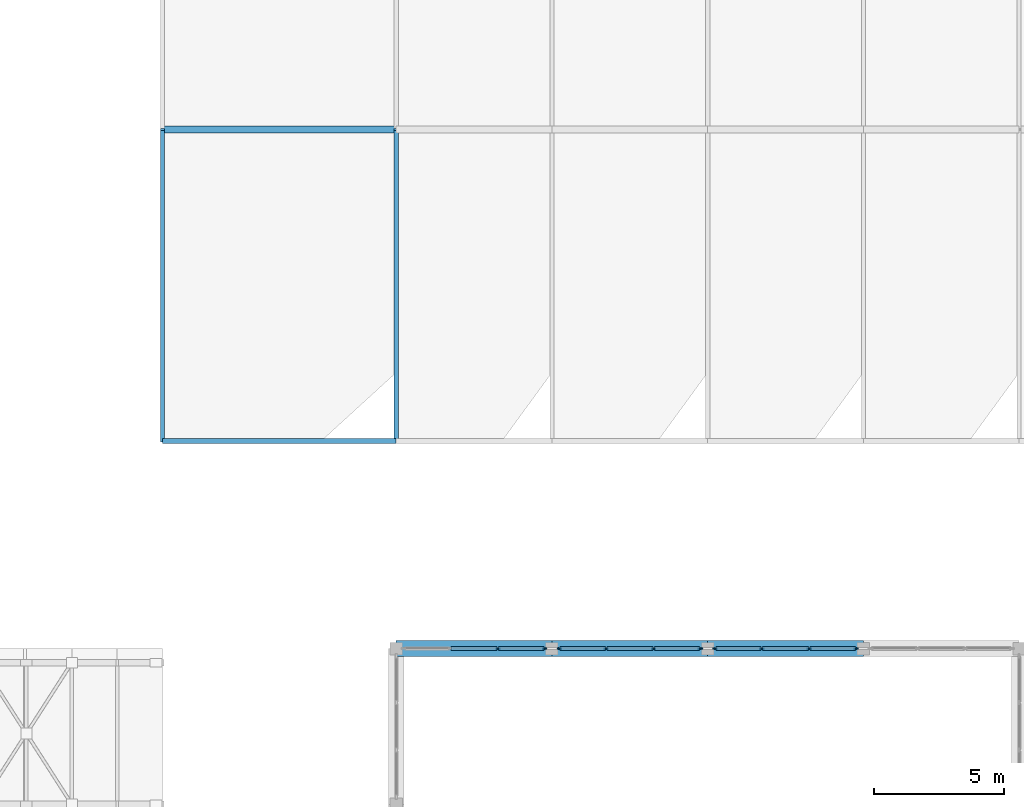
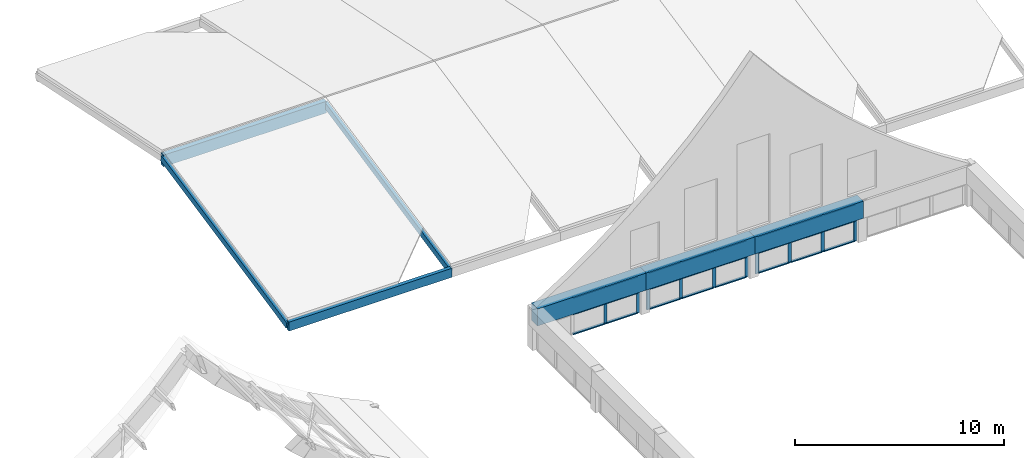
# One storey, part 18 of 45: 34 members, 7 beams, 3 elements without a shape of their own.
"""IFC4 building model written with IfcOpenShell, lengths in metres."""

import ifcopenshell
import ifcopenshell.guid

model = None  # the IFC model being written
_history = None  # IfcOwnerHistory: only IFC2X3 demands one
_inside = {}  # id of a spatial element -> (the spatial element, [elements in it])
_under = {}  # id of a project, library or spatial element -> (it, [spatial elements below it])
_declared = {}  # id of a project -> (the project, [libraries it declares])
_typed = {}  # id of a type object -> (the type object, [elements of that type])
_made_of = {}  # id of a material, layer set ... -> (it, [elements and type objects made of it])


def new_model(schema):
    """Start an empty IFC model of exactly this schema.

    Asked for "IFC4X3", IfcOpenShell would pick the latest addendum, in which some entities
    have other attributes; the version numbers below select the first issue.
    IFC2X3 requires an IfcOwnerHistory on every rooted entity: one is made here for all.
    """
    global model, _history
    if schema == "IFC4X3":
        model = ifcopenshell.file(schema_version=(4, 3, 0, 0))
    else:
        model = ifcopenshell.file(schema=schema)
    _inside.clear()
    _under.clear()
    _declared.clear()
    _typed.clear()
    _made_of.clear()
    _history = None
    if model.schema == "IFC2X3":
        org = make("IfcOrganization", Name="unknown")
        user = make(
            "IfcPersonAndOrganization",
            ThePerson=make("IfcPerson", FamilyName="unknown"),
            TheOrganization=org,
        )
        app = make(
            "IfcApplication",
            ApplicationDeveloper=org,
            Version="unknown",
            ApplicationFullName="unknown",
            ApplicationIdentifier="unknown",
        )
        _history = make(
            "IfcOwnerHistory",
            OwningUser=user,
            OwningApplication=app,
            ChangeAction="ADDED",
            CreationDate=0,
        )
    return model


def make(cls, **values):
    """One entity of the class cls with the attributes given. An attribute that is None is left unset."""
    return model.create_entity(
        cls, **{name: value for name, value in values.items() if value is not None}
    )


def rooted(cls, **values):
    """An entity with a GlobalId (a new one), such as an element, a storey or a relation."""
    return make(cls, GlobalId=ifcopenshell.guid.new(), OwnerHistory=_history, **values)


def si_unit(unit_type, name, prefix=None):
    """IfcSIUnit, for example si_unit("LENGTHUNIT", "METRE", prefix="MILLI")."""
    return make("IfcSIUnit", UnitType=unit_type, Prefix=prefix, Name=name)


def assignment(units):
    """IfcUnitAssignment: the units of a project."""
    return None if units is None else make("IfcUnitAssignment", Units=units)


def point(xyz):
    """IfcCartesianPoint."""
    return None if xyz is None else make("IfcCartesianPoint", Coordinates=xyz)


def direction(xyz):
    """IfcDirection."""
    return None if xyz is None else make("IfcDirection", DirectionRatios=xyz)


def frame(location, z_axis=None, x_axis=None):
    """IfcAxis2Placement3D, a coordinate frame: its origin and axes. An axis left out is left unset."""
    return make(
        "IfcAxis2Placement3D",
        Location=point(location),
        Axis=direction(z_axis),
        RefDirection=direction(x_axis),
    )


def frame_2d(location, x_axis=None):
    """IfcAxis2Placement2D, a coordinate frame in the plane: its origin and x axis."""
    return make(
        "IfcAxis2Placement2D", Location=point(location), RefDirection=direction(x_axis)
    )


def origin():
    """The frame at (0, 0, 0) with its axes left unset."""
    return frame((0.0, 0.0, 0.0))


def origin_2d():
    """The frame at (0, 0) in the plane with its x axis left unset."""
    return frame_2d((0.0, 0.0))


def place(relative_to, where):
    """IfcLocalPlacement: puts the frame where relative to a parent placement (None: the world)."""
    return make(
        "IfcLocalPlacement", PlacementRelTo=relative_to, RelativePlacement=where
    )


def context(
    kind, dimensions, precision=None, world=None, true_north=None, identifier=None
):
    """IfcGeometricRepresentationContext, for example the 3D "Model" context."""
    return make(
        "IfcGeometricRepresentationContext",
        ContextIdentifier=identifier,
        ContextType=kind,
        CoordinateSpaceDimension=dimensions,
        Precision=precision,
        WorldCoordinateSystem=world,
        TrueNorth=true_north,
    )


def subcontext(parent, identifier, kind, view, scale=None):
    """IfcGeometricRepresentationSubContext, for example "Body" below "Model"."""
    return make(
        "IfcGeometricRepresentationSubContext",
        ContextIdentifier=identifier,
        ContextType=kind,
        ParentContext=parent,
        TargetScale=scale,
        TargetView=view,
    )


def project(units=None, contexts=None):
    """IfcProject with its units and contexts."""
    return rooted(
        "IfcProject",
        Name="project",
        RepresentationContexts=contexts,
        UnitsInContext=assignment(units),
    )


def spatial(cls, under=None, at=None, **own):
    """A site, building, storey or space (cls), placed at a placement, below another one or the project."""
    s = rooted(cls, ObjectPlacement=at, **own)
    if under is not None:
        _under.setdefault(under.id(), (under, []))[1].append(s)
    return s


def profile(cls, at=None, kind="AREA", **sizes):
    """A parametric profile (cls). Its sizes go by their IFC names, for example OverallWidth=200.0."""
    return make(cls, ProfileType=kind, Position=at, **sizes)


def rectangle(**sizes):
    """IfcRectangleProfileDef."""
    return profile("IfcRectangleProfileDef", **sizes)


def extrude(swept, where, along, depth):
    """IfcExtrudedAreaSolid: the profile swept, set in the frame where, extruded along a direction by depth."""
    return make(
        "IfcExtrudedAreaSolid",
        SweptArea=swept,
        Position=where,
        ExtrudedDirection=direction(along),
        Depth=depth,
    )


def shape(context_of_items, identifier, shape_type, items):
    """IfcShapeRepresentation: the items that make up one representation, for example the "Body"."""
    return make(
        "IfcShapeRepresentation",
        ContextOfItems=context_of_items,
        RepresentationIdentifier=identifier,
        RepresentationType=shape_type,
        Items=items,
    )


def material(Name=None, Category=None):
    """IfcMaterial."""
    return make("IfcMaterial", Name=Name, Category=Category)


def layer(
    of_material, thickness, ventilated=None, Name=None, Category=None, Priority=None
):
    """IfcMaterialLayer: one layer of a wall or slab, of a material (None: an air gap)."""
    return make(
        "IfcMaterialLayer",
        Material=of_material,
        LayerThickness=thickness,
        IsVentilated=ventilated,
        Name=Name,
        Category=Category,
        Priority=Priority,
    )


def layer_set(layers, Name=None):
    """IfcMaterialLayerSet."""
    return make("IfcMaterialLayerSet", MaterialLayers=layers, LayerSetName=Name)


def material_profile(
    of_material, cross_section, Name=None, Category=None, Priority=None
):
    """IfcMaterialProfile: a cross section and its material."""
    return make(
        "IfcMaterialProfile",
        Name=Name,
        Material=of_material,
        Profile=cross_section,
        Priority=Priority,
        Category=Category,
    )


def profile_set(profiles, Name=None, composite=None):
    """IfcMaterialProfileSet."""
    return make(
        "IfcMaterialProfileSet",
        Name=Name,
        MaterialProfiles=profiles,
        CompositeProfile=composite,
    )


def made_of(thing, what):
    """Note that an element or type object is made of a material, layer set ...; save() writes the relation."""
    if what is not None:
        _made_of.setdefault(what.id(), (what, []))[1].append(thing)
    return thing


def type_object(cls, material=None, **own):
    """A type object (cls), such as IfcWallType, which elements share."""
    return made_of(rooted(cls, **own), material)


def element(
    cls,
    number,
    at=None,
    inside=None,
    cuts=None,
    type_object=None,
    material=None,
    context=None,
    identifier="Body",
    shape_type=None,
    held_by="IfcProductDefinitionShape",
    body=None,
    shapes=None,
    **own,
):
    """One element of the class cls, such as IfcWall. Its Tag is "e" and its number.

    at: its placement. inside: the storey or other place that contains it. cuts: it is an
    opening in that element (IfcRelVoidsElement). A single representation is given by context,
    identifier, shape_type and body (its items); several are given by shapes. held_by: the class
    of the entity that holds the representations. save() writes the other relations.
    """
    e = rooted(cls, Tag="e%d" % number, ObjectPlacement=at, **own)
    if body is not None:
        shapes = [shape(context, identifier, shape_type, body)]
    if shapes is not None:
        e.Representation = make(held_by, Representations=shapes)
    if inside is not None:
        _inside.setdefault(inside.id(), (inside, []))[1].append(e)
    if cuts is not None:
        rooted(
            "IfcRelVoidsElement", RelatingBuildingElement=cuts, RelatedOpeningElement=e
        )
    if type_object is not None:
        _typed.setdefault(type_object.id(), (type_object, []))[1].append(e)
    return made_of(e, material)


def aggregate(whole, parts):
    """IfcRelAggregates: a whole, such as a stair, and the parts it consists of."""
    return rooted("IfcRelAggregates", RelatingObject=whole, RelatedObjects=parts)


def save(model, path):
    """Write the relations noted so far, then the file.

    IfcRelAggregates (storeys below a building ...), IfcRelContainedInSpatialStructure (elements
    in a storey), IfcRelDefinesByType, IfcRelAssociatesMaterial and IfcRelDeclares: one each for
    every whole, place, type object, material and project.
    """
    for whole, parts in _under.values():
        aggregate(whole, parts)
    for where, things in _inside.values():
        rooted(
            "IfcRelContainedInSpatialStructure",
            RelatedElements=things,
            RelatingStructure=where,
        )
    for kind, things in _typed.values():
        rooted("IfcRelDefinesByType", RelatedObjects=things, RelatingType=kind)
    for what, things in _made_of.values():
        rooted("IfcRelAssociatesMaterial", RelatedObjects=things, RelatingMaterial=what)
    for by, libraries in _declared.values():
        rooted("IfcRelDeclares", RelatingContext=by, RelatedDefinitions=libraries)
    model.write(path)


model = new_model("IFC4")

# Units and contexts
model_context = context("Model", 3, precision=1e-05, world=origin(), true_north=direction((0.0, 1.0)))
body_context = subcontext(model_context, "Body", "Model", "MODEL_VIEW")
ifc_project = project(units=[si_unit("LENGTHUNIT", "METRE"), si_unit("AREAUNIT", "SQUARE_METRE"), si_unit("VOLUMEUNIT", "CUBIC_METRE"), si_unit("PLANEANGLEUNIT", "RADIAN"), si_unit("MASSUNIT", "GRAM", prefix="KILO")], contexts=[model_context])

# Site, building, storey
site_placement = place(None, origin())
site = spatial("IfcSite", under=ifc_project, at=site_placement, CompositionType="ELEMENT")
building_placement = place(site_placement, origin())
building = spatial("IfcBuilding", under=site, at=building_placement, Name="Solvane Community Centre", CompositionType="ELEMENT")
storey_placement = place(building_placement, frame((0.0, 0.0, 13.800048828125)))
storey = spatial("IfcBuildingStorey", under=building, at=storey_placement, Name="L03", CompositionType="ELEMENT", Elevation=13.800048828125)

# Beams
ifc_material_1 = material(Name="Glulam GL28h", Category="wood")
ifc_material_profile_1 = material_profile(ifc_material_1, rectangle(XDim=0.260009765625, YDim=0.679931640625, at=origin_2d()), Name="GL28h 260x680")
ifc_profile_set_1 = profile_set([ifc_material_profile_1], Name="Glulam GL28h")
beam_type_1 = type_object("IfcBeamType", Name="Glulam Primary Girder 260x680", PredefinedType="USERDEFINED", material=ifc_profile_set_1)
beam_1_placement = place(storey_placement, frame((27.0, 98.0, 1.9599609375), z_axis=(1.0, 0.0, 0.0), x_axis=(0.0, 1.0, 0.0)))
element("IfcBeam", 1, at=beam_1_placement, inside=storey, type_object=beam_type_1, Name="Beam BM-L03-270_980-360_980", ObjectType="GIRDER", PredefinedType="USERDEFINED", context=body_context, shape_type="SweptSolid", body=[
    extrude(rectangle(XDim=0.260009765625, YDim=0.679931640625, at=origin_2d()), origin(), (0.0, 0.0, 1.0), 9.0),
])
ifc_material_profile_2 = material_profile(ifc_material_1, rectangle(XDim=0.159912109375, YDim=0.360107421875, at=origin_2d()), Name="GL28h 160x360")
ifc_profile_set_2 = profile_set([ifc_material_profile_2], Name="Glulam GL28h")
beam_type_2 = type_object("IfcBeamType", Name="Glulam Roof Rafter 160x360", PredefinedType="BEAM", material=ifc_profile_set_2)
for number, where, z_axis, x_axis, name in (
    (2, (27.0, 86.0, -0.425048828125), (0.0, 0.978980419738, 0.203954254112), (-1.0, 0.0, 0.0), "Beam BM-L03-270_860-270_980"),
    (3, (36.0, 86.0, -0.425048828125), (0.0, 0.978980419738, 0.203954254112), (-1.0, 0.0, 0.0), "Beam BM-L03-360_860-360_980"),
):
    element("IfcBeam", number, at=place(storey_placement, frame(where, z_axis=z_axis, x_axis=x_axis)), inside=storey, type_object=beam_type_2, Name=name, PredefinedType="BEAM", context=body_context, shape_type="SweptSolid", body=[
        extrude(rectangle(XDim=0.159912109375, YDim=0.360107421875, at=origin_2d()), origin(), (0.0, 0.0, 1.0), 12.257568359375),
    ])
ifc_material_profile_3 = material_profile(ifc_material_1, rectangle(XDim=0.199951171875, YDim=0.52001953125, at=origin_2d()), Name="GL28h 200x520")
ifc_profile_set_3 = profile_set([ifc_material_profile_3], Name="Glulam GL28h")
beam_type_3 = type_object("IfcBeamType", Name="Glulam Spandrel Beam 200x520", PredefinedType="SPANDREL", material=ifc_profile_set_3)
beam_2_placement = place(storey_placement, frame((27.0, 86.0, -0.4599609375), z_axis=(1.0, 0.0, 0.0), x_axis=(0.0, 1.0, 0.0)))
element("IfcBeam", 4, at=beam_2_placement, inside=storey, type_object=beam_type_3, Name="Beam BM-L03-270_860-360_860", PredefinedType="SPANDREL", context=body_context, shape_type="SweptSolid", body=[
    extrude(rectangle(XDim=0.199951171875, YDim=0.52001953125, at=origin_2d()), origin(), (0.0, 0.0, 1.0), 9.0),
])

# Curtain wall, members
ifc_material_2 = material(Name="Anodised bronze aluminium AW-6063 T6", Category="aluminium")
ifc_layer = layer(ifc_material_2, 0.179931640625)
ifc_layer_set = layer_set([ifc_layer], Name="Anodised bronze aluminium AW-6063 T6")
curtain_wall_type = type_object("IfcCurtainWallType", Name="Hall Translucent Upper Curtain Wall [55x22dm]", PredefinedType="NOTDEFINED", material=ifc_layer_set)
curtain_wall_1_placement = place(storey_placement, origin())
curtain_wall_1 = element("IfcCurtainWall", 5, at=curtain_wall_1_placement, inside=storey, type_object=curtain_wall_type, Name="Curtain Wall CW-L03-363_780-162", PredefinedType="NOTDEFINED")
ifc_material_profile_4 = material_profile(ifc_material_2, rectangle(XDim=0.06005859375, YDim=0.179931640625, at=origin_2d()), Name="CW-M 60x180")
ifc_profile_set_4 = profile_set([ifc_material_profile_4], Name="Anodised bronze aluminium AW-6063 T6")
member_type_1 = type_object("IfcMemberType", Name="Hall Mullion 60x180", PredefinedType="MULLION", material=ifc_profile_set_4)
member_1_placement = place(storey_placement, frame((39.9150390625, 78.0, 0.0), z_axis=(0.0, 0.0, 1.0), x_axis=(0.0, 1.0, 0.0)))
member_1 = element("IfcMember", 6, at=member_1_placement, type_object=member_type_1, Name="CW01-55x22 mullion 3", PredefinedType="MULLION", context=body_context, shape_type="SweptSolid", body=[
    extrude(rectangle(XDim=0.06005859375, YDim=0.179931640625, at=origin_2d()), origin(), (0.0, 0.0, 1.0), 2.179931640625),
])
member_2_placement = place(storey_placement, frame((41.715087890625, 78.0, 0.0), z_axis=(0.0, 0.0, 1.0), x_axis=(0.0, 1.0, 0.0)))
member_2 = element("IfcMember", 7, at=member_2_placement, type_object=member_type_1, Name="CW01-55x22 mullion 4", PredefinedType="MULLION", context=body_context, shape_type="SweptSolid", body=[
    extrude(rectangle(XDim=0.06005859375, YDim=0.179931640625, at=origin_2d()), origin(), (0.0, 0.0, 1.0), 2.179931640625),
])

curtain_wall_2_placement = place(storey_placement, origin())
curtain_wall_2 = element("IfcCurtainWall", 8, at=curtain_wall_2_placement, inside=storey, type_object=curtain_wall_type, Name="Curtain Wall CW-L03-423_780-163", PredefinedType="NOTDEFINED")
member_3_placement = place(storey_placement, frame((42.284912109375, 78.0, 0.0), z_axis=(0.0, 0.0, 1.0), x_axis=(0.0, 1.0, 0.0)))
member_3 = element("IfcMember", 9, at=member_3_placement, type_object=member_type_1, Name="CW01-55x22 mullion 1", PredefinedType="MULLION", context=body_context, shape_type="SweptSolid", body=[
    extrude(rectangle(XDim=0.06005859375, YDim=0.179931640625, at=origin_2d()), origin(), (0.0, 0.0, 1.0), 2.179931640625),
])
member_4_placement = place(storey_placement, frame((44.0849609375, 78.0, 0.0), z_axis=(0.0, 0.0, 1.0), x_axis=(0.0, 1.0, 0.0)))
member_4 = element("IfcMember", 10, at=member_4_placement, type_object=member_type_1, Name="CW01-55x22 mullion 2", PredefinedType="MULLION", context=body_context, shape_type="SweptSolid", body=[
    extrude(rectangle(XDim=0.06005859375, YDim=0.179931640625, at=origin_2d()), origin(), (0.0, 0.0, 1.0), 2.179931640625),
])
member_5_placement = place(storey_placement, frame((45.9150390625, 78.0, 0.0), z_axis=(0.0, 0.0, 1.0), x_axis=(0.0, 1.0, 0.0)))
member_5 = element("IfcMember", 11, at=member_5_placement, type_object=member_type_1, Name="CW01-55x22 mullion 3", PredefinedType="MULLION", context=body_context, shape_type="SweptSolid", body=[
    extrude(rectangle(XDim=0.06005859375, YDim=0.179931640625, at=origin_2d()), origin(), (0.0, 0.0, 1.0), 2.179931640625),
])
member_6_placement = place(storey_placement, frame((47.715087890625, 78.0, 0.0), z_axis=(0.0, 0.0, 1.0), x_axis=(0.0, 1.0, 0.0)))
member_6 = element("IfcMember", 12, at=member_6_placement, type_object=member_type_1, Name="CW01-55x22 mullion 4", PredefinedType="MULLION", context=body_context, shape_type="SweptSolid", body=[
    extrude(rectangle(XDim=0.06005859375, YDim=0.179931640625, at=origin_2d()), origin(), (0.0, 0.0, 1.0), 2.179931640625),
])

curtain_wall_3_placement = place(storey_placement, origin())
curtain_wall_3 = element("IfcCurtainWall", 13, at=curtain_wall_3_placement, inside=storey, type_object=curtain_wall_type, Name="Curtain Wall CW-L03-483_780-164", PredefinedType="NOTDEFINED")
member_7_placement = place(storey_placement, frame((48.284912109375, 78.0, 0.0), z_axis=(0.0, 0.0, 1.0), x_axis=(0.0, 1.0, 0.0)))
member_7 = element("IfcMember", 14, at=member_7_placement, type_object=member_type_1, Name="CW01-55x22 mullion 1", PredefinedType="MULLION", context=body_context, shape_type="SweptSolid", body=[
    extrude(rectangle(XDim=0.06005859375, YDim=0.179931640625, at=origin_2d()), origin(), (0.0, 0.0, 1.0), 2.179931640625),
])
member_8_placement = place(storey_placement, frame((50.0849609375, 78.0, 0.0), z_axis=(0.0, 0.0, 1.0), x_axis=(0.0, 1.0, 0.0)))
member_8 = element("IfcMember", 15, at=member_8_placement, type_object=member_type_1, Name="CW01-55x22 mullion 2", PredefinedType="MULLION", context=body_context, shape_type="SweptSolid", body=[
    extrude(rectangle(XDim=0.06005859375, YDim=0.179931640625, at=origin_2d()), origin(), (0.0, 0.0, 1.0), 2.179931640625),
])
member_9_placement = place(storey_placement, frame((51.9150390625, 78.0, 0.0), z_axis=(0.0, 0.0, 1.0), x_axis=(0.0, 1.0, 0.0)))
member_9 = element("IfcMember", 16, at=member_9_placement, type_object=member_type_1, Name="CW01-55x22 mullion 3", PredefinedType="MULLION", context=body_context, shape_type="SweptSolid", body=[
    extrude(rectangle(XDim=0.06005859375, YDim=0.179931640625, at=origin_2d()), origin(), (0.0, 0.0, 1.0), 2.179931640625),
])
member_10_placement = place(storey_placement, frame((53.715087890625, 78.0, 0.0), z_axis=(0.0, 0.0, 1.0), x_axis=(0.0, 1.0, 0.0)))
member_10 = element("IfcMember", 17, at=member_10_placement, type_object=member_type_1, Name="CW01-55x22 mullion 4", PredefinedType="MULLION", context=body_context, shape_type="SweptSolid", body=[
    extrude(rectangle(XDim=0.06005859375, YDim=0.179931640625, at=origin_2d()), origin(), (0.0, 0.0, 1.0), 2.179931640625),
])

# Member
ifc_material_profile_5 = material_profile(ifc_material_2, rectangle(XDim=0.139892578125, YDim=0.06005859375, at=origin_2d()), Name="CW-T 60x140")
ifc_profile_set_5 = profile_set([ifc_material_profile_5], Name="Anodised bronze aluminium AW-6063 T6")
member_type_2 = type_object("IfcMemberType", Name="Hall Transom 60x140", PredefinedType="USERDEFINED", material=ifc_profile_set_5)
member_11_placement = place(storey_placement, frame((38.114990234375, 78.0, 0.030029296875), z_axis=(1.0, 0.0, 0.0), x_axis=(0.0, 1.0, 0.0)))
member_11 = element("IfcMember", 18, at=member_11_placement, type_object=member_type_2, Name="CW01-55x22 transom 2.1", ObjectType="TRANSOM", PredefinedType="USERDEFINED", context=body_context, shape_type="SweptSolid", body=[
    extrude(rectangle(XDim=0.139892578125, YDim=0.06005859375, at=origin_2d()), origin(), (0.0, 0.0, 1.0), 1.77001953125),
])

member_12_placement = place(storey_placement, frame((38.114990234375, 78.0, 1.198974609375), z_axis=(1.0, 0.0, 0.0), x_axis=(0.0, 1.0, 0.0)))
member_12 = element("IfcMember", 19, at=member_12_placement, type_object=member_type_2, Name="CW01-55x22 transom 2.2", ObjectType="TRANSOM", PredefinedType="USERDEFINED", context=body_context, shape_type="SweptSolid", body=[
    extrude(rectangle(XDim=0.139892578125, YDim=0.06005859375, at=origin_2d()), origin(), (0.0, 0.0, 1.0), 1.77001953125),
])

member_13_placement = place(storey_placement, frame((38.114990234375, 78.0, 2.14990234375), z_axis=(1.0, 0.0, 0.0), x_axis=(0.0, 1.0, 0.0)))
member_13 = element("IfcMember", 20, at=member_13_placement, type_object=member_type_2, Name="CW01-55x22 transom 2.3", ObjectType="TRANSOM", PredefinedType="USERDEFINED", context=body_context, shape_type="SweptSolid", body=[
    extrude(rectangle(XDim=0.139892578125, YDim=0.06005859375, at=origin_2d()), origin(), (0.0, 0.0, 1.0), 1.77001953125),
])

member_14_placement = place(storey_placement, frame((39.945068359375, 78.0, 0.030029296875), z_axis=(1.0, 0.0, 0.0), x_axis=(0.0, 1.0, 0.0)))
member_14 = element("IfcMember", 21, at=member_14_placement, type_object=member_type_2, Name="CW01-55x22 transom 3.1", ObjectType="TRANSOM", PredefinedType="USERDEFINED", context=body_context, shape_type="SweptSolid", body=[
    extrude(rectangle(XDim=0.139892578125, YDim=0.06005859375, at=origin_2d()), origin(), (0.0, 0.0, 1.0), 1.739990234375),
])

member_15_placement = place(storey_placement, frame((39.945068359375, 78.0, 1.198974609375), z_axis=(1.0, 0.0, 0.0), x_axis=(0.0, 1.0, 0.0)))
member_15 = element("IfcMember", 22, at=member_15_placement, type_object=member_type_2, Name="CW01-55x22 transom 3.2", ObjectType="TRANSOM", PredefinedType="USERDEFINED", context=body_context, shape_type="SweptSolid", body=[
    extrude(rectangle(XDim=0.139892578125, YDim=0.06005859375, at=origin_2d()), origin(), (0.0, 0.0, 1.0), 1.739990234375),
])

member_16_placement = place(storey_placement, frame((39.945068359375, 78.0, 2.14990234375), z_axis=(1.0, 0.0, 0.0), x_axis=(0.0, 1.0, 0.0)))
member_16 = element("IfcMember", 23, at=member_16_placement, type_object=member_type_2, Name="CW01-55x22 transom 3.3", ObjectType="TRANSOM", PredefinedType="USERDEFINED", context=body_context, shape_type="SweptSolid", body=[
    extrude(rectangle(XDim=0.139892578125, YDim=0.06005859375, at=origin_2d()), origin(), (0.0, 0.0, 1.0), 1.739990234375),
])

aggregate(curtain_wall_1, [member_1, member_2, member_11, member_12, member_13, member_14, member_15, member_16])

member_17_placement = place(storey_placement, frame((42.31494140625, 78.0, 0.030029296875), z_axis=(1.0, 0.0, 0.0), x_axis=(0.0, 1.0, 0.0)))
member_17 = element("IfcMember", 24, at=member_17_placement, type_object=member_type_2, Name="CW01-55x22 transom 1.1", ObjectType="TRANSOM", PredefinedType="USERDEFINED", context=body_context, shape_type="SweptSolid", body=[
    extrude(rectangle(XDim=0.139892578125, YDim=0.06005859375, at=origin_2d()), origin(), (0.0, 0.0, 1.0), 1.739990234375),
])

member_18_placement = place(storey_placement, frame((42.31494140625, 78.0, 1.198974609375), z_axis=(1.0, 0.0, 0.0), x_axis=(0.0, 1.0, 0.0)))
member_18 = element("IfcMember", 25, at=member_18_placement, type_object=member_type_2, Name="CW01-55x22 transom 1.2", ObjectType="TRANSOM", PredefinedType="USERDEFINED", context=body_context, shape_type="SweptSolid", body=[
    extrude(rectangle(XDim=0.139892578125, YDim=0.06005859375, at=origin_2d()), origin(), (0.0, 0.0, 1.0), 1.739990234375),
])

member_19_placement = place(storey_placement, frame((42.31494140625, 78.0, 2.14990234375), z_axis=(1.0, 0.0, 0.0), x_axis=(0.0, 1.0, 0.0)))
member_19 = element("IfcMember", 26, at=member_19_placement, type_object=member_type_2, Name="CW01-55x22 transom 1.3", ObjectType="TRANSOM", PredefinedType="USERDEFINED", context=body_context, shape_type="SweptSolid", body=[
    extrude(rectangle(XDim=0.139892578125, YDim=0.06005859375, at=origin_2d()), origin(), (0.0, 0.0, 1.0), 1.739990234375),
])

member_20_placement = place(storey_placement, frame((44.114990234375, 78.0, 0.030029296875), z_axis=(1.0, 0.0, 0.0), x_axis=(0.0, 1.0, 0.0)))
member_20 = element("IfcMember", 27, at=member_20_placement, type_object=member_type_2, Name="CW01-55x22 transom 2.1", ObjectType="TRANSOM", PredefinedType="USERDEFINED", context=body_context, shape_type="SweptSolid", body=[
    extrude(rectangle(XDim=0.139892578125, YDim=0.06005859375, at=origin_2d()), origin(), (0.0, 0.0, 1.0), 1.77001953125),
])

member_21_placement = place(storey_placement, frame((44.114990234375, 78.0, 1.198974609375), z_axis=(1.0, 0.0, 0.0), x_axis=(0.0, 1.0, 0.0)))
member_21 = element("IfcMember", 28, at=member_21_placement, type_object=member_type_2, Name="CW01-55x22 transom 2.2", ObjectType="TRANSOM", PredefinedType="USERDEFINED", context=body_context, shape_type="SweptSolid", body=[
    extrude(rectangle(XDim=0.139892578125, YDim=0.06005859375, at=origin_2d()), origin(), (0.0, 0.0, 1.0), 1.77001953125),
])

member_22_placement = place(storey_placement, frame((44.114990234375, 78.0, 2.14990234375), z_axis=(1.0, 0.0, 0.0), x_axis=(0.0, 1.0, 0.0)))
member_22 = element("IfcMember", 29, at=member_22_placement, type_object=member_type_2, Name="CW01-55x22 transom 2.3", ObjectType="TRANSOM", PredefinedType="USERDEFINED", context=body_context, shape_type="SweptSolid", body=[
    extrude(rectangle(XDim=0.139892578125, YDim=0.06005859375, at=origin_2d()), origin(), (0.0, 0.0, 1.0), 1.77001953125),
])

member_23_placement = place(storey_placement, frame((45.945068359375, 78.0, 0.030029296875), z_axis=(1.0, 0.0, 0.0), x_axis=(0.0, 1.0, 0.0)))
member_23 = element("IfcMember", 30, at=member_23_placement, type_object=member_type_2, Name="CW01-55x22 transom 3.1", ObjectType="TRANSOM", PredefinedType="USERDEFINED", context=body_context, shape_type="SweptSolid", body=[
    extrude(rectangle(XDim=0.139892578125, YDim=0.06005859375, at=origin_2d()), origin(), (0.0, 0.0, 1.0), 1.739990234375),
])

member_24_placement = place(storey_placement, frame((45.945068359375, 78.0, 1.198974609375), z_axis=(1.0, 0.0, 0.0), x_axis=(0.0, 1.0, 0.0)))
member_24 = element("IfcMember", 31, at=member_24_placement, type_object=member_type_2, Name="CW01-55x22 transom 3.2", ObjectType="TRANSOM", PredefinedType="USERDEFINED", context=body_context, shape_type="SweptSolid", body=[
    extrude(rectangle(XDim=0.139892578125, YDim=0.06005859375, at=origin_2d()), origin(), (0.0, 0.0, 1.0), 1.739990234375),
])

member_25_placement = place(storey_placement, frame((45.945068359375, 78.0, 2.14990234375), z_axis=(1.0, 0.0, 0.0), x_axis=(0.0, 1.0, 0.0)))
member_25 = element("IfcMember", 32, at=member_25_placement, type_object=member_type_2, Name="CW01-55x22 transom 3.3", ObjectType="TRANSOM", PredefinedType="USERDEFINED", context=body_context, shape_type="SweptSolid", body=[
    extrude(rectangle(XDim=0.139892578125, YDim=0.06005859375, at=origin_2d()), origin(), (0.0, 0.0, 1.0), 1.739990234375),
])

aggregate(curtain_wall_2, [member_3, member_4, member_5, member_6, member_17, member_18, member_19, member_20, member_21, member_22, member_23, member_24, member_25])

member_26_placement = place(storey_placement, frame((48.31494140625, 78.0, 0.030029296875), z_axis=(1.0, 0.0, 0.0), x_axis=(0.0, 1.0, 0.0)))
member_26 = element("IfcMember", 33, at=member_26_placement, type_object=member_type_2, Name="CW01-55x22 transom 1.1", ObjectType="TRANSOM", PredefinedType="USERDEFINED", context=body_context, shape_type="SweptSolid", body=[
    extrude(rectangle(XDim=0.139892578125, YDim=0.06005859375, at=origin_2d()), origin(), (0.0, 0.0, 1.0), 1.739990234375),
])

member_27_placement = place(storey_placement, frame((48.31494140625, 78.0, 1.198974609375), z_axis=(1.0, 0.0, 0.0), x_axis=(0.0, 1.0, 0.0)))
member_27 = element("IfcMember", 34, at=member_27_placement, type_object=member_type_2, Name="CW01-55x22 transom 1.2", ObjectType="TRANSOM", PredefinedType="USERDEFINED", context=body_context, shape_type="SweptSolid", body=[
    extrude(rectangle(XDim=0.139892578125, YDim=0.06005859375, at=origin_2d()), origin(), (0.0, 0.0, 1.0), 1.739990234375),
])

member_28_placement = place(storey_placement, frame((48.31494140625, 78.0, 2.14990234375), z_axis=(1.0, 0.0, 0.0), x_axis=(0.0, 1.0, 0.0)))
member_28 = element("IfcMember", 35, at=member_28_placement, type_object=member_type_2, Name="CW01-55x22 transom 1.3", ObjectType="TRANSOM", PredefinedType="USERDEFINED", context=body_context, shape_type="SweptSolid", body=[
    extrude(rectangle(XDim=0.139892578125, YDim=0.06005859375, at=origin_2d()), origin(), (0.0, 0.0, 1.0), 1.739990234375),
])

member_29_placement = place(storey_placement, frame((50.114990234375, 78.0, 0.030029296875), z_axis=(1.0, 0.0, 0.0), x_axis=(0.0, 1.0, 0.0)))
member_29 = element("IfcMember", 36, at=member_29_placement, type_object=member_type_2, Name="CW01-55x22 transom 2.1", ObjectType="TRANSOM", PredefinedType="USERDEFINED", context=body_context, shape_type="SweptSolid", body=[
    extrude(rectangle(XDim=0.139892578125, YDim=0.06005859375, at=origin_2d()), origin(), (0.0, 0.0, 1.0), 1.77001953125),
])

member_30_placement = place(storey_placement, frame((50.114990234375, 78.0, 1.198974609375), z_axis=(1.0, 0.0, 0.0), x_axis=(0.0, 1.0, 0.0)))
member_30 = element("IfcMember", 37, at=member_30_placement, type_object=member_type_2, Name="CW01-55x22 transom 2.2", ObjectType="TRANSOM", PredefinedType="USERDEFINED", context=body_context, shape_type="SweptSolid", body=[
    extrude(rectangle(XDim=0.139892578125, YDim=0.06005859375, at=origin_2d()), origin(), (0.0, 0.0, 1.0), 1.77001953125),
])

member_31_placement = place(storey_placement, frame((50.114990234375, 78.0, 2.14990234375), z_axis=(1.0, 0.0, 0.0), x_axis=(0.0, 1.0, 0.0)))
member_31 = element("IfcMember", 38, at=member_31_placement, type_object=member_type_2, Name="CW01-55x22 transom 2.3", ObjectType="TRANSOM", PredefinedType="USERDEFINED", context=body_context, shape_type="SweptSolid", body=[
    extrude(rectangle(XDim=0.139892578125, YDim=0.06005859375, at=origin_2d()), origin(), (0.0, 0.0, 1.0), 1.77001953125),
])

member_32_placement = place(storey_placement, frame((51.945068359375, 78.0, 0.030029296875), z_axis=(1.0, 0.0, 0.0), x_axis=(0.0, 1.0, 0.0)))
member_32 = element("IfcMember", 39, at=member_32_placement, type_object=member_type_2, Name="CW01-55x22 transom 3.1", ObjectType="TRANSOM", PredefinedType="USERDEFINED", context=body_context, shape_type="SweptSolid", body=[
    extrude(rectangle(XDim=0.139892578125, YDim=0.06005859375, at=origin_2d()), origin(), (0.0, 0.0, 1.0), 1.739990234375),
])

member_33_placement = place(storey_placement, frame((51.945068359375, 78.0, 1.198974609375), z_axis=(1.0, 0.0, 0.0), x_axis=(0.0, 1.0, 0.0)))
member_33 = element("IfcMember", 40, at=member_33_placement, type_object=member_type_2, Name="CW01-55x22 transom 3.2", ObjectType="TRANSOM", PredefinedType="USERDEFINED", context=body_context, shape_type="SweptSolid", body=[
    extrude(rectangle(XDim=0.139892578125, YDim=0.06005859375, at=origin_2d()), origin(), (0.0, 0.0, 1.0), 1.739990234375),
])

member_34_placement = place(storey_placement, frame((51.945068359375, 78.0, 2.14990234375), z_axis=(1.0, 0.0, 0.0), x_axis=(0.0, 1.0, 0.0)))
member_34 = element("IfcMember", 41, at=member_34_placement, type_object=member_type_2, Name="CW01-55x22 transom 3.3", ObjectType="TRANSOM", PredefinedType="USERDEFINED", context=body_context, shape_type="SweptSolid", body=[
    extrude(rectangle(XDim=0.139892578125, YDim=0.06005859375, at=origin_2d()), origin(), (0.0, 0.0, 1.0), 1.739990234375),
])

aggregate(curtain_wall_3, [member_7, member_8, member_9, member_10, member_26, member_27, member_28, member_29, member_30, member_31, member_32, member_33, member_34])

# Beams
ifc_material_3 = material(Name="Concrete C35/45", Category="concrete")
ifc_material_profile_6 = material_profile(ifc_material_3, rectangle(XDim=0.60009765625, YDim=1.0, at=origin_2d()), Name="RC 600x1000")
ifc_profile_set_6 = profile_set([ifc_material_profile_6], Name="Concrete C35/45")
beam_type_4 = type_object("IfcBeamType", Name="RC Vault Thrust Ring Girder 600x1000", PredefinedType="USERDEFINED", material=ifc_profile_set_6)
for number, where, z_axis, x_axis, name in (
    (42, (36.0, 78.0, 1.89990234375), (1.0, 0.0, 0.0), (0.0, 1.0, 0.0), "Beam BM-L03-360_780-420_780"),
    (43, (42.0, 78.0, 1.89990234375), (1.0, 0.0, 0.0), (0.0, 1.0, 0.0), "Beam BM-L03-420_780-480_780"),
    (44, (48.0, 78.0, 1.89990234375), (1.0, 0.0, 0.0), (0.0, 1.0, 0.0), "Beam BM-L03-480_780-540_780"),
):
    element("IfcBeam", number, at=place(storey_placement, frame(where, z_axis=z_axis, x_axis=x_axis)), inside=storey, type_object=beam_type_4, Name=name, ObjectType="GIRDER", PredefinedType="USERDEFINED", context=body_context, shape_type="SweptSolid", body=[
        extrude(rectangle(XDim=0.60009765625, YDim=1.0, at=origin_2d()), origin(), (0.0, 0.0, 1.0), 6.0),
    ])

save(model, "model.ifc")
